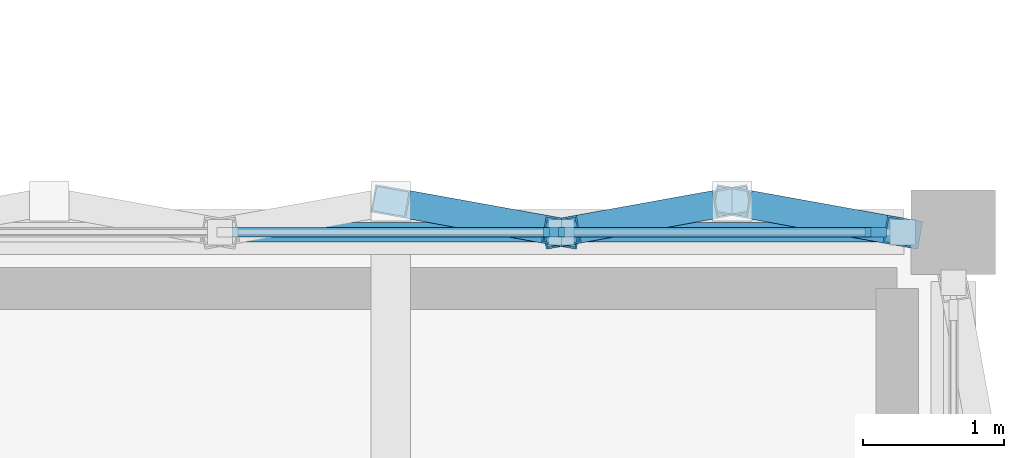
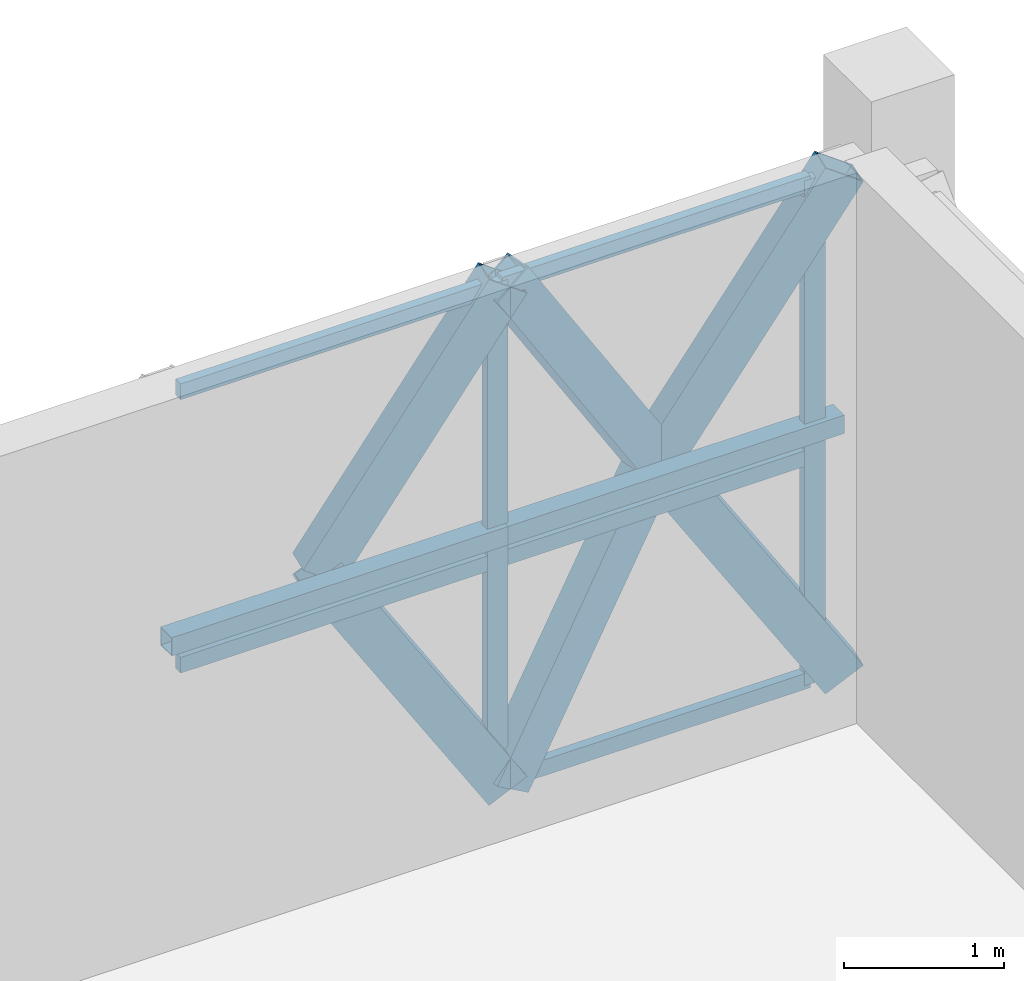
# One storey, part 19 of 43: 15 members, 1 element without a shape of its own.
"""IFC4 building model written with IfcOpenShell, lengths in metres."""

from ifc_helpers import new_model, si_unit, direction, frame, origin, origin_2d, place, context, subcontext, project, spatial, rectangle, hollow_rectangle, extrude, material, layer, layer_set, material_profile, profile_set, type_object, element, aggregate, save


model = new_model("IFC4")

# Units and contexts
model_context = context("Model", 3, precision=1e-05, world=origin(), true_north=direction((0.0, 1.0)))
body_context = subcontext(model_context, "Body", "Model", "MODEL_VIEW")
ifc_project = project(units=[si_unit("LENGTHUNIT", "METRE"), si_unit("AREAUNIT", "SQUARE_METRE"), si_unit("VOLUMEUNIT", "CUBIC_METRE"), si_unit("PLANEANGLEUNIT", "RADIAN"), si_unit("MASSUNIT", "GRAM", prefix="KILO")], contexts=[model_context])

# Site, building, storey
site_placement = place(None, origin())
site = spatial("IfcSite", under=ifc_project, at=site_placement, CompositionType="ELEMENT")
building_placement = place(site_placement, origin())
building = spatial("IfcBuilding", under=site, at=building_placement, Name="Qorikala Patio Media Centre", CompositionType="ELEMENT")
storey_placement = place(building_placement, frame((0.0, 0.0, 18.89990234375)))
storey = spatial("IfcBuildingStorey", under=building, at=storey_placement, Name="L04", CompositionType="ELEMENT", Elevation=18.89990234375)

# Members
ifc_material_1 = material(Name="Golden Bronze Coated Steel S355", Category="steel")
ifc_material_profile_1 = material_profile(ifc_material_1, hollow_rectangle(XDim=0.139892578125, YDim=0.139892578125, WallThickness=0.006103515625, at=origin_2d()), Name="HSS140X140X6")
ifc_profile_set_1 = profile_set([ifc_material_profile_1], Name="Golden Bronze Coated Steel S355")
member_type_1 = type_object("IfcMemberType", Name="BRACE-DIA140", PredefinedType="BRACE", material=ifc_profile_set_1)
member_1_placement = place(storey_placement, frame((92.78662109375, 27.0, 1.925048828125), z_axis=(1.0, 0.0, 0.0), x_axis=(0.0, 1.0, 0.0)))
element("IfcMember", 1, at=member_1_placement, inside=storey, type_object=member_type_1, Name="L04 Diamond Fold Tie 119", PredefinedType="BRACE", context=body_context, shape_type="SweptSolid", body=[
    extrude(hollow_rectangle(XDim=0.139892578125, YDim=0.139892578125, WallThickness=0.006103515625, at=origin_2d()), origin(), (0.0, 0.0, 1.0), 2.4267578125),
])
member_2_placement = place(storey_placement, frame((95.21337890625, 27.0, 1.925048828125), z_axis=(1.0, 0.0, 0.0), x_axis=(0.0, 1.0, 0.0)))
element("IfcMember", 2, at=member_2_placement, inside=storey, type_object=member_type_1, Name="L04 Diamond Fold Tie 120", PredefinedType="BRACE", context=body_context, shape_type="SweptSolid", body=[
    extrude(hollow_rectangle(XDim=0.139892578125, YDim=0.139892578125, WallThickness=0.006103515625, at=origin_2d()), origin(), (0.0, 0.0, 1.0), 2.426513671875),
])

# Curtain wall, members
ifc_material_2 = material(Name="Golden Bronze Anodised Aluminium and Low-E Glass", Category="aluminium")
ifc_layer = layer(ifc_material_2, 0.159912109375)
ifc_layer_set = layer_set([ifc_layer], Name="Golden Bronze Anodised Aluminium and Low-E Glass")
curtain_wall_type = type_object("IfcCurtainWallType", Name="CW-DIA-696X385", PredefinedType="USERDEFINED", material=ifc_layer_set)
curtain_wall_placement = place(storey_placement, origin())
curtain_wall = element("IfcCurtainWall", 3, at=curtain_wall_placement, inside=storey, type_object=curtain_wall_type, Name="L04 Courtyard Curtain Wall 081", ObjectType="COURTYARD CURTAIN WALL", PredefinedType="USERDEFINED")
ifc_material_3 = material(Name="Golden Bronze Anodised Aluminium", Category="aluminium")
ifc_material_profile_2 = material_profile(ifc_material_3, rectangle(XDim=0.06494140625, YDim=0.14990234375, at=origin_2d()), Name="ALU MULLION 65x150")
ifc_profile_set_2 = profile_set([ifc_material_profile_2], Name="Golden Bronze Anodised Aluminium")
member_type_2 = type_object("IfcMemberType", Name="CWM-65X150", PredefinedType="MULLION", material=ifc_profile_set_2)
member_3_placement = place(storey_placement, frame((95.159912109375, 27.0, 0.0), z_axis=(0.0, 0.0, 1.0), x_axis=(0.0, 1.0, 0.0)))
member_3 = element("IfcMember", 4, at=member_3_placement, type_object=member_type_2, Name="CWD696385 mullion 3", PredefinedType="MULLION", context=body_context, shape_type="SweptSolid", body=[
    extrude(rectangle(XDim=0.06494140625, YDim=0.14990234375, at=origin_2d()), origin(), (0.0, 0.0, 1.0), 3.85009765625),
])
member_4_placement = place(storey_placement, frame((97.447509765625, 27.0, 0.0), z_axis=(0.0, 0.0, 1.0), x_axis=(0.0, 1.0, 0.0)))
member_4 = element("IfcMember", 5, at=member_4_placement, type_object=member_type_2, Name="CWD696385 mullion 4", PredefinedType="MULLION", context=body_context, shape_type="SweptSolid", body=[
    extrude(rectangle(XDim=0.06494140625, YDim=0.14990234375, at=origin_2d()), origin(), (0.0, 0.0, 1.0), 3.85009765625),
])
ifc_material_profile_3 = material_profile(ifc_material_3, rectangle(XDim=0.06494140625, YDim=0.1201171875, at=origin_2d()), Name="ALU TRANSOM 65x120")
ifc_profile_set_3 = profile_set([ifc_material_profile_3], Name="Golden Bronze Anodised Aluminium")
member_type_3 = type_object("IfcMemberType", Name="CWT-65X120", PredefinedType="USERDEFINED", material=ifc_profile_set_3)
member_5_placement = place(storey_placement, frame((92.87255859375, 27.0, 1.732666015625), z_axis=(1.0, 0.0, 0.0), x_axis=(0.0, 1.0, 0.0)))
member_5 = element("IfcMember", 6, at=member_5_placement, type_object=member_type_3, Name="CWD696385 transom 2.2", ObjectType="TRANSOM", PredefinedType="USERDEFINED", context=body_context, shape_type="SweptSolid", body=[
    extrude(rectangle(XDim=0.06494140625, YDim=0.1201171875, at=origin_2d()), origin(), (0.0, 0.0, 1.0), 2.2548828125),
])
member_6_placement = place(storey_placement, frame((92.87255859375, 27.0, 3.817626953125), z_axis=(1.0, 0.0, 0.0), x_axis=(0.0, 1.0, 0.0)))
member_6 = element("IfcMember", 7, at=member_6_placement, type_object=member_type_3, Name="CWD696385 transom 2.3", ObjectType="TRANSOM", PredefinedType="USERDEFINED", context=body_context, shape_type="SweptSolid", body=[
    extrude(rectangle(XDim=0.06494140625, YDim=0.1201171875, at=origin_2d()), origin(), (0.0, 0.0, 1.0), 2.2548828125),
])
member_7_placement = place(storey_placement, frame((95.1923828125, 27.0, 0.03271484375), z_axis=(1.0, 0.0, 0.0), x_axis=(0.0, 1.0, 0.0)))
member_7 = element("IfcMember", 8, at=member_7_placement, type_object=member_type_3, Name="CWD696385 transom 3.1", ObjectType="TRANSOM", PredefinedType="USERDEFINED", context=body_context, shape_type="SweptSolid", body=[
    extrude(rectangle(XDim=0.06494140625, YDim=0.1201171875, at=origin_2d()), origin(), (0.0, 0.0, 1.0), 2.22265625),
])
member_8_placement = place(storey_placement, frame((95.1923828125, 27.0, 1.732666015625), z_axis=(1.0, 0.0, 0.0), x_axis=(0.0, 1.0, 0.0)))
member_8 = element("IfcMember", 9, at=member_8_placement, type_object=member_type_3, Name="CWD696385 transom 3.2", ObjectType="TRANSOM", PredefinedType="USERDEFINED", context=body_context, shape_type="SweptSolid", body=[
    extrude(rectangle(XDim=0.06494140625, YDim=0.1201171875, at=origin_2d()), origin(), (0.0, 0.0, 1.0), 2.22265625),
])
member_9_placement = place(storey_placement, frame((95.1923828125, 27.0, 3.817626953125), z_axis=(1.0, 0.0, 0.0), x_axis=(0.0, 1.0, 0.0)))
member_9 = element("IfcMember", 10, at=member_9_placement, type_object=member_type_3, Name="CWD696385 transom 3.3", ObjectType="TRANSOM", PredefinedType="USERDEFINED", context=body_context, shape_type="SweptSolid", body=[
    extrude(rectangle(XDim=0.06494140625, YDim=0.1201171875, at=origin_2d()), origin(), (0.0, 0.0, 1.0), 2.22265625),
])
aggregate(curtain_wall, [member_3, member_4, member_5, member_6, member_7, member_8, member_9])

# Members
ifc_material_profile_4 = material_profile(ifc_material_1, hollow_rectangle(XDim=0.199951171875, YDim=0.300048828125, WallThickness=0.011962890625, at=origin_2d()), Name="HSS300X200X12")
ifc_profile_set_4 = profile_set([ifc_material_profile_4], Name="Golden Bronze Coated Steel S355")
member_type_4 = type_object("IfcMemberType", Name="STRUT-DIA300", PredefinedType="STRUT", material=ifc_profile_set_4)
for number, where, z_axis, x_axis, name in (
    (11, (95.21337890625, 27.0, 0.0), (-0.530768093717, 0.095901357778, 0.842073726148), (-0.177805036072, -0.98406573416, 0.0), "L04 Diamond Foyer Fold Strut 119-DL2"),
    (12, (94.0, 27.21923828125, 1.925048828125), (0.530768093717, -0.095901357778, 0.842073726148), (0.177805036072, 0.98406573416, 0.0), "L04 Diamond Foyer Fold Strut 119-DU2"),
    (13, (95.21337890625, 27.0, 0.0), (0.530768093717, 0.095901357778, 0.842073726148), (-0.177805036072, 0.98406573416, 0.0), "L04 Diamond Foyer Fold Strut 120-DL1"),
):
    element("IfcMember", number, at=place(storey_placement, frame(where, z_axis=z_axis, x_axis=x_axis)), inside=storey, type_object=member_type_4, Name=name, PredefinedType="STRUT", context=body_context, shape_type="SweptSolid", body=[
        extrude(hollow_rectangle(XDim=0.199951171875, YDim=0.300048828125, WallThickness=0.011962890625, at=origin_2d()), origin(), (0.0, 0.0, 1.0), 2.2861328125),
    ])
member_10_placement = place(storey_placement, frame((97.639892578125, 27.0, 0.0), z_axis=(-0.530691378365, 0.095906793675, 0.842121456713), x_axis=(-0.17783968734, -0.984059472596, 0.0)))
element("IfcMember", 14, at=member_10_placement, inside=storey, type_object=member_type_4, Name="L04 Diamond Foyer Fold Strut 120-DL2", PredefinedType="STRUT", context=body_context, shape_type="SweptSolid", body=[
    extrude(hollow_rectangle(XDim=0.199951171875, YDim=0.300048828125, WallThickness=0.011962890625, at=origin_2d()), origin(), (0.0, 0.0, 1.0), 2.285888671875),
])
member_11_placement = place(storey_placement, frame((96.4267578125, 27.21923828125, 1.925048828125), z_axis=(-0.530768093717, -0.095901357778, 0.842073726148), x_axis=(0.177805036072, -0.98406573416, 0.0)))
element("IfcMember", 15, at=member_11_placement, inside=storey, type_object=member_type_4, Name="L04 Diamond Foyer Fold Strut 120-DU1", PredefinedType="STRUT", context=body_context, shape_type="SweptSolid", body=[
    extrude(hollow_rectangle(XDim=0.199951171875, YDim=0.300048828125, WallThickness=0.011962890625, at=origin_2d()), origin(), (0.0, 0.0, 1.0), 2.2861328125),
])
member_12_placement = place(storey_placement, frame((96.4267578125, 27.21923828125, 1.925048828125), z_axis=(0.530691378365, -0.095906793675, 0.842121456713), x_axis=(0.17783968734, 0.984059472596, 0.0)))
element("IfcMember", 16, at=member_12_placement, inside=storey, type_object=member_type_4, Name="L04 Diamond Foyer Fold Strut 120-DU2", PredefinedType="STRUT", context=body_context, shape_type="SweptSolid", body=[
    extrude(hollow_rectangle(XDim=0.199951171875, YDim=0.300048828125, WallThickness=0.011962890625, at=origin_2d()), origin(), (0.0, 0.0, 1.0), 2.285888671875),
])

save(model, "model.ifc")
